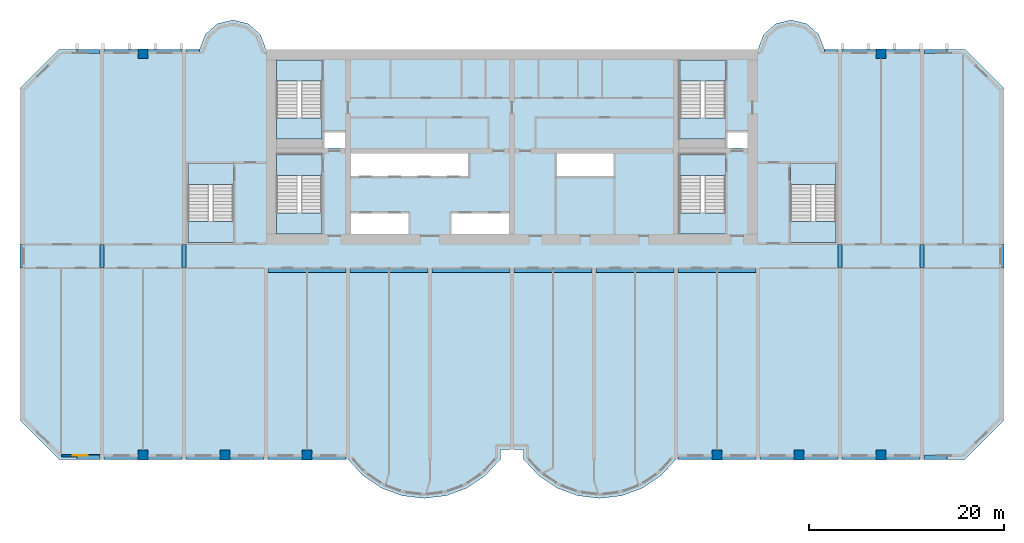
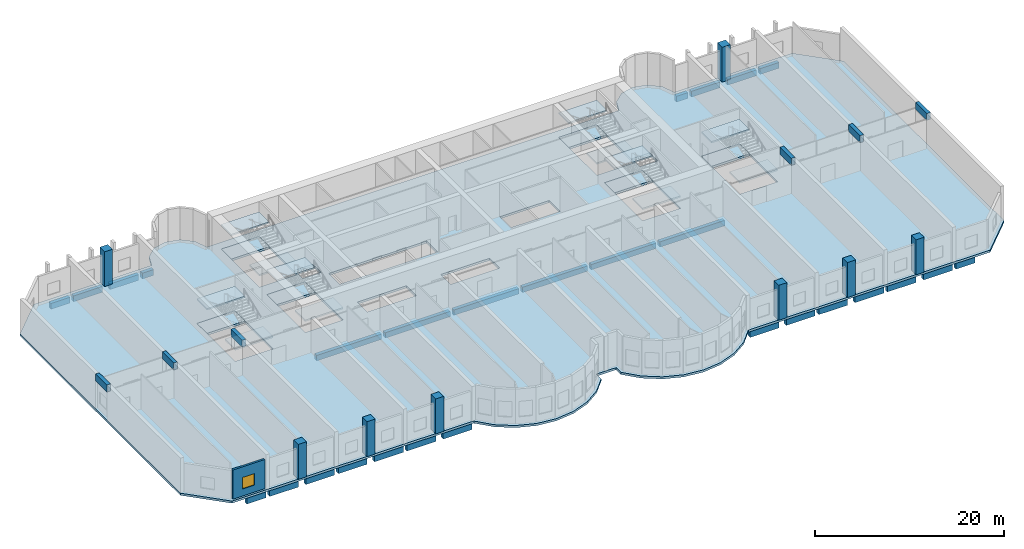
# One storey, part 1 of 10: 34 beams, 19 slabs, 8 columns, 1 wall, 1 window, 1 opening, 6 elements without a shape of their own.
"""IFC4 building model written with IfcOpenShell, lengths in metres."""

from ifc_helpers import new_model, si_unit, direction, frame, frame_2d, origin, origin_2d, place, context, subcontext, project, spatial, polyline, rectangle, outline, extrude, source, transform, mapped, material, layer, layer_set, material_profile, profile_set, type_object, element, fill, aggregate, save


model = new_model("IFC4")

# Units and contexts
model_context = context("Model", 3, precision=1e-05, world=origin(), true_north=direction((0.0, 1.0)))
body_context = subcontext(model_context, "Body", "Model", "MODEL_VIEW")
ifc_project = project(units=[si_unit("LENGTHUNIT", "METRE"), si_unit("AREAUNIT", "SQUARE_METRE"), si_unit("VOLUMEUNIT", "CUBIC_METRE"), si_unit("PLANEANGLEUNIT", "RADIAN"), si_unit("MASSUNIT", "GRAM", prefix="KILO")], contexts=[model_context])

# Site, building, storey
site_placement = place(None, origin())
site = spatial("IfcSite", under=ifc_project, at=site_placement, CompositionType="ELEMENT")
building_placement = place(site_placement, origin())
building = spatial("IfcBuilding", under=site, at=building_placement, Name="Vanashikhar Sky Hotel", CompositionType="ELEMENT")
storey_placement = place(building_placement, frame((0.0, 0.0, 23.0)))
storey = spatial("IfcBuildingStorey", under=building, at=storey_placement, Name="L04", CompositionType="ELEMENT", Elevation=23.0)

# Columns
ifc_material_1 = material(Name="Concrete M70", Category="concrete")
ifc_material_profile_1 = material_profile(ifc_material_1, rectangle(XDim=1.0, YDim=1.0, at=origin_2d()))
ifc_profile_set_1 = profile_set([ifc_material_profile_1], Name="RC 1000x1000 column Concrete M70")
column_type = type_object("IfcColumnType", Name="RC 1000x1000 column Concrete M70", PredefinedType="COLUMN", material=ifc_profile_set_1)
shared_shape_1 = source(origin(), body_context, "Body", "SweptSolid", [
    extrude(rectangle(XDim=1.0, YDim=1.0, at=origin_2d()), origin(), (0.0, 0.0, 1.0), 4.52001953125),
])
for number, where, z_axis, x_axis, name in (
    (1, (12.60009765625, 0.449951171875, 0.0), (0.0, 0.0, 1.0), (1.0, 0.0, 0.0), "CL-L04-CF02"),
    (2, (21.0, 0.449951171875, 0.0), (0.0, 0.0, 1.0), (1.0, 0.0, 0.0), "CL-L04-CF03"),
    (3, (29.39990234375, 0.449951171875, 0.0), (0.0, 0.0, 1.0), (1.0, 0.0, 0.0), "CL-L04-CF04"),
    (4, (71.39990234375, 0.449951171875, 0.0), (0.0, 0.0, 1.0), (1.0, 0.0, 0.0), "CL-L04-CF09"),
    (5, (79.800048828125, 0.449951171875, 0.0), (0.0, 0.0, 1.0), (1.0, 0.0, 0.0), "CL-L04-CF10"),
    (6, (88.199951171875, 0.449951171875, 0.0), (0.0, 0.0, 1.0), (1.0, 0.0, 0.0), "CL-L04-CF11"),
    (7, (12.60009765625, 41.550048828125, 0.0), (0.0, 0.0, 1.0), (1.0, 0.0, 0.0), "CL-L04-CR02"),
    (8, (88.199951171875, 41.550048828125, 0.0), (0.0, 0.0, 1.0), (1.0, 0.0, 0.0), "CL-L04-CR11"),
):
    element("IfcColumn", number, at=place(storey_placement, frame(where, z_axis=z_axis, x_axis=x_axis)), inside=storey, type_object=column_type, Name=name, PredefinedType="COLUMN", context=body_context, shape_type="MappedRepresentation", body=[
        mapped(shared_shape_1, transform((0.0, 0.0, 0.0), scale=1.0)),
    ])

# Beams
ifc_material_2 = material(Name="Concrete M50", Category="concrete")
ifc_material_profile_2 = material_profile(ifc_material_2, rectangle(XDim=0.449951171875, YDim=0.89990234375, at=origin_2d()))
ifc_profile_set_2 = profile_set([ifc_material_profile_2], Name="RC 450x900 beam Concrete M50")
beam_type_1 = type_object("IfcBeamType", Name="RC 450x900 beam Concrete M50", PredefinedType="LINTEL", material=ifc_profile_set_2)
shared_shape_2 = source(origin(), body_context, "Body", "SweptSolid", [
    extrude(rectangle(XDim=0.449951171875, YDim=0.89990234375, at=origin_2d()), origin(), (0.0, 0.0, 1.0), 2.39990234375),
])
for number, where, z_axis, x_axis, name in (
    (9, (0.22509765625, 19.60009765625, 4.070068359375), (0.0, 1.0, 0.0), (-1.0, 0.0, 0.0), "LB-L04-XW01"),
    (10, (8.39990234375, 19.60009765625, 4.070068359375), (0.0, 1.0, 0.0), (-1.0, 0.0, 0.0), "LB-L04-XW02"),
    (11, (16.800048828125, 19.60009765625, 4.070068359375), (0.0, 1.0, 0.0), (-1.0, 0.0, 0.0), "LB-L04-XW03"),
    (12, (84.0, 19.60009765625, 4.070068359375), (0.0, 1.0, 0.0), (-1.0, 0.0, 0.0), "LB-L04-XW11"),
    (13, (92.39990234375, 19.60009765625, 4.070068359375), (0.0, 1.0, 0.0), (-1.0, 0.0, 0.0), "LB-L04-XW12"),
    (14, (100.574951171875, 19.60009765625, 4.070068359375), (0.0, 1.0, 0.0), (-1.0, 0.0, 0.0), "LB-L04-XW13"),
):
    element("IfcBeam", number, at=place(storey_placement, frame(where, z_axis=z_axis, x_axis=x_axis)), inside=storey, type_object=beam_type_1, Name=name, PredefinedType="LINTEL", context=body_context, shape_type="MappedRepresentation", body=[
        mapped(shared_shape_2, transform((0.0, 0.0, 0.0), scale=1.0)),
    ])
ifc_material_profile_3 = material_profile(ifc_material_2, rectangle(XDim=0.449951171875, YDim=0.75, at=origin_2d()))
ifc_profile_set_3 = profile_set([ifc_material_profile_3], Name="RC 450x750 beam Concrete M50")
beam_type_2 = type_object("IfcBeamType", Name="RC 450x750 beam Concrete M50", PredefinedType="SPANDREL", material=ifc_profile_set_3)
shared_shape_3 = source(origin(), body_context, "Body", "SweptSolid", [
    extrude(rectangle(XDim=0.449951171875, YDim=0.75, at=origin_2d()), origin(), (0.0, 0.0, 1.0), 3.52490234375),
])
for number, where, z_axis, x_axis, name in (
    (15, (8.625, 0.22509765625, -0.655029296875), (1.0, 0.0, 0.0), (0.0, 1.0, 0.0), "EB-L04-F01"),
    (16, (13.050048828125, 0.22509765625, -0.655029296875), (1.0, 0.0, 0.0), (0.0, 1.0, 0.0), "EB-L04-F02"),
    (17, (25.425048828125, 0.22509765625, -0.655029296875), (1.0, 0.0, 0.0), (0.0, 1.0, 0.0), "EB-L04-F05"),
    (18, (29.85009765625, 0.22509765625, -0.655029296875), (1.0, 0.0, 0.0), (0.0, 1.0, 0.0), "EB-L04-F06"),
    (19, (67.425048828125, 0.22509765625, -0.655029296875), (1.0, 0.0, 0.0), (0.0, 1.0, 0.0), "EB-L04-F08"),
    (20, (71.85009765625, 0.22509765625, -0.655029296875), (1.0, 0.0, 0.0), (0.0, 1.0, 0.0), "EB-L04-F09"),
    (21, (80.25, 0.22509765625, -0.655029296875), (1.0, 0.0, 0.0), (0.0, 1.0, 0.0), "EB-L04-F11"),
    (22, (84.22509765625, 0.22509765625, -0.655029296875), (1.0, 0.0, 0.0), (0.0, 1.0, 0.0), "EB-L04-F12"),
    (23, (8.625, 41.77490234375, -0.655029296875), (1.0, 0.0, 0.0), (0.0, 1.0, 0.0), "EB-L04-R01"),
    (24, (13.050048828125, 41.77490234375, -0.655029296875), (1.0, 0.0, 0.0), (0.0, 1.0, 0.0), "EB-L04-R02"),
    (25, (84.22509765625, 41.77490234375, -0.655029296875), (1.0, 0.0, 0.0), (0.0, 1.0, 0.0), "EB-L04-R05"),
):
    element("IfcBeam", number, at=place(storey_placement, frame(where, z_axis=z_axis, x_axis=x_axis)), inside=storey, type_object=beam_type_2, Name=name, PredefinedType="SPANDREL", context=body_context, shape_type="MappedRepresentation", body=[
        mapped(shared_shape_3, transform((0.0, 0.0, 0.0), scale=1.0)),
    ])
shared_shape_4 = source(origin(), body_context, "Body", "SweptSolid", [
    extrude(rectangle(XDim=0.449951171875, YDim=0.75, at=origin_2d()), origin(), (0.0, 0.0, 1.0), 3.525146484375),
])
for number, where, z_axis, x_axis, name in (
    (26, (17.02490234375, 0.22509765625, -0.655029296875), (1.0, 0.0, 0.0), (0.0, 1.0, 0.0), "EB-L04-F03"),
    (27, (21.449951171875, 0.22509765625, -0.655029296875), (1.0, 0.0, 0.0), (0.0, 1.0, 0.0), "EB-L04-F04"),
    (28, (75.824951171875, 0.22509765625, -0.655029296875), (1.0, 0.0, 0.0), (0.0, 1.0, 0.0), "EB-L04-F10"),
    (29, (88.64990234375, 0.22509765625, -0.655029296875), (1.0, 0.0, 0.0), (0.0, 1.0, 0.0), "EB-L04-F13"),
    (30, (88.64990234375, 41.77490234375, -0.655029296875), (1.0, 0.0, 0.0), (0.0, 1.0, 0.0), "EB-L04-R06"),
):
    element("IfcBeam", number, at=place(storey_placement, frame(where, z_axis=z_axis, x_axis=x_axis)), inside=storey, type_object=beam_type_2, Name=name, PredefinedType="SPANDREL", context=body_context, shape_type="MappedRepresentation", body=[
        mapped(shared_shape_4, transform((0.0, 0.0, 0.0), scale=1.0)),
    ])
ifc_material_profile_4 = material_profile(ifc_material_2, rectangle(XDim=0.449951171875, YDim=0.75, at=origin_2d()))
ifc_profile_set_4 = profile_set([ifc_material_profile_4], Name="RC 450x750 cantilever beam Concrete M50")
beam_type_3 = type_object("IfcBeamType", Name="RC 450x750 cantilever beam Concrete M50", PredefinedType="SPANDREL", material=ifc_profile_set_4)
shared_shape_5 = source(origin(), body_context, "Body", "SweptSolid", [
    extrude(rectangle(XDim=0.449951171875, YDim=0.75, at=origin_2d()), origin(), (0.0, 0.0, 1.0), 2.330078125),
])
for number, where, z_axis, x_axis, name in (
    (31, (5.844970703125, 0.22509765625, -0.655029296875), (1.0, 0.0, 0.0), (0.0, 1.0, 0.0), "EB-L04-F07"),
    (32, (92.625, 0.22509765625, -0.655029296875), (1.0, 0.0, 0.0), (0.0, 1.0, 0.0), "EB-L04-F14"),
    (33, (5.844970703125, 41.77490234375, -0.655029296875), (1.0, 0.0, 0.0), (0.0, 1.0, 0.0), "EB-L04-R03"),
    (34, (92.625, 41.77490234375, -0.655029296875), (1.0, 0.0, 0.0), (0.0, 1.0, 0.0), "EB-L04-R08"),
):
    element("IfcBeam", number, at=place(storey_placement, frame(where, z_axis=z_axis, x_axis=x_axis)), inside=storey, type_object=beam_type_3, Name=name, PredefinedType="SPANDREL", context=body_context, shape_type="MappedRepresentation", body=[
        mapped(shared_shape_5, transform((0.0, 0.0, 0.0), scale=1.0)),
    ])
shared_shape_6 = source(origin(), body_context, "Body", "SweptSolid", [
    extrude(rectangle(XDim=0.449951171875, YDim=0.75, at=origin_2d()), origin(), (0.0, 0.0, 1.0), 1.375),
])
for number, where, z_axis, x_axis, name in (
    (35, (17.02490234375, 41.77490234375, -0.655029296875), (1.0, 0.0, 0.0), (0.0, 1.0, 0.0), "EB-L04-R04"),
    (36, (82.39990234375, 41.77490234375, -0.655029296875), (1.0, 0.0, 0.0), (0.0, 1.0, 0.0), "EB-L04-R07"),
):
    element("IfcBeam", number, at=place(storey_placement, frame(where, z_axis=z_axis, x_axis=x_axis)), inside=storey, type_object=beam_type_3, Name=name, PredefinedType="SPANDREL", context=body_context, shape_type="MappedRepresentation", body=[
        mapped(shared_shape_6, transform((0.0, 0.0, 0.0), scale=1.0)),
    ])
ifc_material_profile_5 = material_profile(ifc_material_2, rectangle(XDim=0.449951171875, YDim=0.699951171875, at=origin_2d()))
ifc_profile_set_5 = profile_set([ifc_material_profile_5], Name="RC 450x700 beam Concrete M50")
beam_type_4 = type_object("IfcBeamType", Name="RC 450x700 beam Concrete M50", PredefinedType="BEAM", material=ifc_profile_set_5)
shared_shape_7 = source(origin(), body_context, "Body", "SweptSolid", [
    extrude(rectangle(XDim=0.449951171875, YDim=0.699951171875, at=origin_2d()), origin(), (0.0, 0.0, 1.0), 7.949951171875),
])
for number, where, z_axis, x_axis, name in (
    (37, (25.425048828125, 19.375, -0.6298828125), (1.0, 0.0, 0.0), (0.0, 1.0, 0.0), "CB-L04-01"),
    (38, (33.824951171875, 19.375, -0.6298828125), (1.0, 0.0, 0.0), (0.0, 1.0, 0.0), "CB-L04-02"),
    (39, (42.22509765625, 19.375, -0.6298828125), (1.0, 0.0, 0.0), (0.0, 1.0, 0.0), "CB-L04-03"),
    (40, (50.625, 19.375, -0.6298828125), (1.0, 0.0, 0.0), (0.0, 1.0, 0.0), "CB-L04-04"),
    (41, (67.425048828125, 19.375, -0.6298828125), (1.0, 0.0, 0.0), (0.0, 1.0, 0.0), "CB-L04-06"),
):
    element("IfcBeam", number, at=place(storey_placement, frame(where, z_axis=z_axis, x_axis=x_axis)), inside=storey, type_object=beam_type_4, Name=name, PredefinedType="BEAM", context=body_context, shape_type="MappedRepresentation", body=[
        mapped(shared_shape_7, transform((0.0, 0.0, 0.0), scale=1.0)),
    ])
shared_shape_8 = source(origin(), body_context, "Body", "SweptSolid", [
    extrude(rectangle(XDim=0.449951171875, YDim=0.699951171875, at=origin_2d()), origin(), (0.0, 0.0, 1.0), 7.9501953125),
])
beam_placement = place(storey_placement, frame((59.02490234375, 19.375, -0.6298828125), z_axis=(1.0, 0.0, 0.0), x_axis=(0.0, 1.0, 0.0)))
element("IfcBeam", 42, at=beam_placement, inside=storey, type_object=beam_type_4, Name="CB-L04-05", PredefinedType="BEAM", context=body_context, shape_type="MappedRepresentation", body=[
    mapped(shared_shape_8, transform((0.0, 0.0, 0.0), scale=1.0)),
])

# Slab
ifc_material_3 = material(Name="Concrete M40", Category="concrete")
ifc_layer_1 = layer(ifc_material_3, 0.280029296875)
ifc_layer_set_1 = layer_set([ifc_layer_1], Name="Floor slab 280 mm")
slab_type_1 = type_object("IfcSlabType", Name="Floor slab 280 mm", PredefinedType="FLOOR", material=ifc_layer_set_1)
shared_shape_9 = source(origin(), body_context, "Body", "SweptSolid", [
    extrude(outline(polyline([(49.199951171875, 0.0), (49.199951171875, 1.0), (51.60009765625, 1.0), (51.60009765625, 0.0), (53.133056640625, -1.674072265625), (55.01708984375, -2.94189453125), (57.14599609375, -3.73193359375), (59.39990234375, -4.0), (61.654052734375, -3.73193359375), (63.782958984375, -2.94189453125), (65.6669921875, -1.674072265625), (67.199951171875, 0.0), (96.800048828125, 0.0), (100.800048828125, 4.0), (100.800048828125, 38.0), (96.800048828125, 42.0), (82.39990234375, 42.0), (81.81494140625, 43.527099609375), (80.587890625, 44.610107421875), (79.0, 45.0), (77.412109375, 44.610107421875), (76.18505859375, 43.527099609375), (75.60009765625, 42.0), (25.199951171875, 42.0), (24.614990234375, 43.527099609375), (23.387939453125, 44.610107421875), (21.800048828125, 45.0), (20.2119140625, 44.610107421875), (18.985107421875, 43.527099609375), (18.39990234375, 42.0), (4.0, 42.0), (0.0, 38.0), (0.0, 4.0), (4.0, 0.0), (33.60009765625, 0.0), (35.133056640625, -1.674072265625), (37.01708984375, -2.94189453125), (39.14599609375, -3.73193359375), (41.39990234375, -4.0), (43.654052734375, -3.73193359375), (45.782958984375, -2.94189453125), (47.6669921875, -1.674072265625), (49.199951171875, 0.0)]), holes=[polyline([(33.300048828125, 33.60009765625), (31.050048828125, 33.60009765625), (31.050048828125, 31.89990234375), (33.300048828125, 31.89990234375), (33.300048828125, 33.60009765625)]), polyline([(33.89990234375, 25.199951171875), (33.89990234375, 23.10009765625), (39.89990234375, 23.10009765625), (39.89990234375, 25.199951171875), (33.89990234375, 25.199951171875)]), polyline([(33.89990234375, 31.300048828125), (33.89990234375, 29.0), (45.89990234375, 29.0), (45.89990234375, 31.300048828125), (33.89990234375, 31.300048828125)]), polyline([(44.10009765625, 25.199951171875), (44.10009765625, 23.10009765625), (50.10009765625, 23.10009765625), (50.10009765625, 25.199951171875), (44.10009765625, 25.199951171875)]), polyline([(54.89990234375, 31.300048828125), (54.89990234375, 29.0), (60.89990234375, 29.0), (60.89990234375, 31.300048828125), (54.89990234375, 31.300048828125)]), polyline([(74.5, 33.60009765625), (72.35009765625, 33.60009765625), (72.35009765625, 31.89990234375), (74.5, 31.89990234375), (74.5, 33.60009765625)]), polyline([(30.949951171875, 23.10009765625), (30.949951171875, 31.199951171875), (26.300048828125, 31.199951171875), (26.300048828125, 23.10009765625), (30.949951171875, 23.10009765625)]), polyline([(72.25, 23.10009765625), (72.25, 31.199951171875), (67.60009765625, 31.199951171875), (67.60009765625, 23.10009765625), (72.25, 23.10009765625)]), polyline([(30.949951171875, 32.800048828125), (30.949951171875, 40.89990234375), (26.300048828125, 40.89990234375), (26.300048828125, 32.800048828125), (30.949951171875, 32.800048828125)]), polyline([(72.25, 32.800048828125), (72.25, 40.89990234375), (67.60009765625, 40.89990234375), (67.60009765625, 32.800048828125), (72.25, 32.800048828125)]), polyline([(83.60009765625, 22.199951171875), (83.60009765625, 30.300048828125), (78.949951171875, 30.300048828125), (78.949951171875, 22.199951171875), (83.60009765625, 22.199951171875)]), polyline([(21.85009765625, 22.199951171875), (21.85009765625, 30.300048828125), (17.199951171875, 30.300048828125), (17.199951171875, 22.199951171875), (21.85009765625, 22.199951171875)])]), origin(), (0.0, 0.0, 1.0), 0.280029296875),
])
slab_1_placement = place(storey_placement, frame((0.0, 0.0, -0.280029296875)))
element("IfcSlab", 43, at=slab_1_placement, inside=storey, type_object=slab_type_1, Name="Floor slab L04", PredefinedType="FLOOR", context=body_context, shape_type="MappedRepresentation", body=[
    mapped(shared_shape_9, transform((0.0, 0.0, 0.0), scale=1.0)),
])

# Stair, slabs
stair_type = type_object("IfcStairType", Name="Exit stair 2150", PredefinedType="DOUBLE_RETURN_STAIR", material=ifc_material_3)
stair_1_placement = place(storey_placement, origin())
stair_1 = element("IfcStair", 44, at=stair_1_placement, inside=storey, type_object=stair_type, Name="L04 Exit stair 1", PredefinedType="DOUBLE_RETURN_STAIR")
ifc_layer_2 = layer(ifc_material_3, 0.199951171875)
ifc_layer_set_2 = layer_set([ifc_layer_2], Name="Stair landing 200")
slab_type_2 = type_object("IfcSlabType", Name="Stair landing 200", PredefinedType="LANDING", material=ifc_layer_set_2)
shared_shape_10 = source(origin(), body_context, "Body", "SweptSolid", [
    extrude(outline(polyline([(30.949951171875, 29.050048828125), (30.949951171875, 31.199951171875), (26.300048828125, 31.199951171875), (26.300048828125, 29.050048828125), (30.949951171875, 29.050048828125)])), origin(), (0.0, 0.0, 1.0), 0.199951171875),
])
slab_2_placement = place(storey_placement, frame((0.0, 0.0, 3.0)))
slab_2 = element("IfcSlab", 45, at=slab_2_placement, type_object=slab_type_2, Name="ST-C1 landing 2", PredefinedType="LANDING", context=body_context, shape_type="MappedRepresentation", body=[
    mapped(shared_shape_10, transform((0.0, 0.0, 0.0), scale=1.0)),
])
shared_shape_11 = source(origin(), body_context, "Body", "SweptSolid", [
    extrude(outline(polyline([(30.949951171875, 23.10009765625), (30.949951171875, 25.25), (26.300048828125, 25.25), (26.300048828125, 23.10009765625), (30.949951171875, 23.10009765625)])), origin(), (0.0, 0.0, 1.0), 0.2001953125),
])
slab_3_placement = place(storey_placement, frame((0.0, 0.0, 1.39990234375)))
slab_3 = element("IfcSlab", 46, at=slab_3_placement, type_object=slab_type_2, Name="ST-C1 landing 1", PredefinedType="LANDING", context=body_context, shape_type="MappedRepresentation", body=[
    mapped(shared_shape_11, transform((0.0, 0.0, 0.0), scale=1.0)),
])
aggregate(stair_1, [slab_3, slab_2])

# Slab
ifc_layer_3 = layer(ifc_material_3, 0.280029296875)
ifc_layer_set_3 = layer_set([ifc_layer_3], Name="Stair floor landing 280")
slab_type_3 = type_object("IfcSlabType", Name="Stair floor landing 280", PredefinedType="LANDING", material=ifc_layer_set_3)
shared_shape_12 = source(origin(), body_context, "Body", "SweptSolid", [
    extrude(outline(polyline([(30.949951171875, 29.050048828125), (30.949951171875, 31.199951171875), (26.300048828125, 31.199951171875), (26.300048828125, 29.050048828125), (30.949951171875, 29.050048828125)])), origin(), (0.0, 0.0, 1.0), 0.280029296875),
])
slab_4_placement = place(storey_placement, frame((0.0, 0.0, -0.280029296875)))
element("IfcSlab", 47, at=slab_4_placement, inside=storey, type_object=slab_type_3, Name="Exit stair 1 floor landing", PredefinedType="LANDING", context=body_context, shape_type="MappedRepresentation", body=[
    mapped(shared_shape_12, transform((0.0, 0.0, 0.0), scale=1.0)),
])

# Stair, slabs
stair_2_placement = place(storey_placement, origin())
stair_2 = element("IfcStair", 48, at=stair_2_placement, inside=storey, type_object=stair_type, Name="L04 Exit stair 2", PredefinedType="DOUBLE_RETURN_STAIR")
shared_shape_13 = source(origin(), body_context, "Body", "SweptSolid", [
    extrude(outline(polyline([(72.25, 29.050048828125), (72.25, 31.199951171875), (67.60009765625, 31.199951171875), (67.60009765625, 29.050048828125), (72.25, 29.050048828125)])), origin(), (0.0, 0.0, 1.0), 0.199951171875),
])
slab_5_placement = place(storey_placement, frame((0.0, 0.0, 3.0)))
slab_5 = element("IfcSlab", 49, at=slab_5_placement, type_object=slab_type_2, Name="ST-C2 landing 2", PredefinedType="LANDING", context=body_context, shape_type="MappedRepresentation", body=[
    mapped(shared_shape_13, transform((0.0, 0.0, 0.0), scale=1.0)),
])
shared_shape_14 = source(origin(), body_context, "Body", "SweptSolid", [
    extrude(outline(polyline([(72.25, 23.10009765625), (72.25, 25.25), (67.60009765625, 25.25), (67.60009765625, 23.10009765625), (72.25, 23.10009765625)])), origin(), (0.0, 0.0, 1.0), 0.2001953125),
])
slab_6_placement = place(storey_placement, frame((0.0, 0.0, 1.39990234375)))
slab_6 = element("IfcSlab", 50, at=slab_6_placement, type_object=slab_type_2, Name="ST-C2 landing 1", PredefinedType="LANDING", context=body_context, shape_type="MappedRepresentation", body=[
    mapped(shared_shape_14, transform((0.0, 0.0, 0.0), scale=1.0)),
])
aggregate(stair_2, [slab_6, slab_5])

# Slab
shared_shape_15 = source(origin(), body_context, "Body", "SweptSolid", [
    extrude(outline(polyline([(72.25, 29.050048828125), (72.25, 31.199951171875), (67.60009765625, 31.199951171875), (67.60009765625, 29.050048828125), (72.25, 29.050048828125)])), origin(), (0.0, 0.0, 1.0), 0.280029296875),
])
slab_7_placement = place(storey_placement, frame((0.0, 0.0, -0.280029296875)))
element("IfcSlab", 51, at=slab_7_placement, inside=storey, type_object=slab_type_3, Name="Exit stair 2 floor landing", PredefinedType="LANDING", context=body_context, shape_type="MappedRepresentation", body=[
    mapped(shared_shape_15, transform((0.0, 0.0, 0.0), scale=1.0)),
])

# Stair, slabs
stair_3_placement = place(storey_placement, origin())
stair_3 = element("IfcStair", 52, at=stair_3_placement, inside=storey, type_object=stair_type, Name="L04 Exit stair 3", PredefinedType="DOUBLE_RETURN_STAIR")
shared_shape_16 = source(origin(), body_context, "Body", "SweptSolid", [
    extrude(outline(polyline([(21.85009765625, 28.14990234375), (21.85009765625, 30.300048828125), (17.199951171875, 30.300048828125), (17.199951171875, 28.14990234375), (21.85009765625, 28.14990234375)])), origin(), (0.0, 0.0, 1.0), 0.199951171875),
])
slab_8_placement = place(storey_placement, frame((0.0, 0.0, 3.0)))
slab_8 = element("IfcSlab", 53, at=slab_8_placement, type_object=slab_type_2, Name="ST-W landing 2", PredefinedType="LANDING", context=body_context, shape_type="MappedRepresentation", body=[
    mapped(shared_shape_16, transform((0.0, 0.0, 0.0), scale=1.0)),
])
shared_shape_17 = source(origin(), body_context, "Body", "SweptSolid", [
    extrude(outline(polyline([(21.85009765625, 22.199951171875), (21.85009765625, 24.35009765625), (17.199951171875, 24.35009765625), (17.199951171875, 22.199951171875), (21.85009765625, 22.199951171875)])), origin(), (0.0, 0.0, 1.0), 0.2001953125),
])
slab_9_placement = place(storey_placement, frame((0.0, 0.0, 1.39990234375)))
slab_9 = element("IfcSlab", 54, at=slab_9_placement, type_object=slab_type_2, Name="ST-W landing 1", PredefinedType="LANDING", context=body_context, shape_type="MappedRepresentation", body=[
    mapped(shared_shape_17, transform((0.0, 0.0, 0.0), scale=1.0)),
])
aggregate(stair_3, [slab_9, slab_8])

# Slab
shared_shape_18 = source(origin(), body_context, "Body", "SweptSolid", [
    extrude(outline(polyline([(21.85009765625, 28.14990234375), (21.85009765625, 30.300048828125), (17.199951171875, 30.300048828125), (17.199951171875, 28.14990234375), (21.85009765625, 28.14990234375)])), origin(), (0.0, 0.0, 1.0), 0.280029296875),
])
slab_10_placement = place(storey_placement, frame((0.0, 0.0, -0.280029296875)))
element("IfcSlab", 55, at=slab_10_placement, inside=storey, type_object=slab_type_3, Name="Exit stair 3 floor landing", PredefinedType="LANDING", context=body_context, shape_type="MappedRepresentation", body=[
    mapped(shared_shape_18, transform((0.0, 0.0, 0.0), scale=1.0)),
])

# Stair, slabs
stair_4_placement = place(storey_placement, origin())
stair_4 = element("IfcStair", 56, at=stair_4_placement, inside=storey, type_object=stair_type, Name="L04 Exit stair 4", PredefinedType="DOUBLE_RETURN_STAIR")
shared_shape_19 = source(origin(), body_context, "Body", "SweptSolid", [
    extrude(outline(polyline([(83.60009765625, 28.14990234375), (83.60009765625, 30.300048828125), (78.949951171875, 30.300048828125), (78.949951171875, 28.14990234375), (83.60009765625, 28.14990234375)])), origin(), (0.0, 0.0, 1.0), 0.199951171875),
])
slab_11_placement = place(storey_placement, frame((0.0, 0.0, 3.0)))
slab_11 = element("IfcSlab", 57, at=slab_11_placement, type_object=slab_type_2, Name="ST-E landing 2", PredefinedType="LANDING", context=body_context, shape_type="MappedRepresentation", body=[
    mapped(shared_shape_19, transform((0.0, 0.0, 0.0), scale=1.0)),
])
shared_shape_20 = source(origin(), body_context, "Body", "SweptSolid", [
    extrude(outline(polyline([(83.60009765625, 22.199951171875), (83.60009765625, 24.35009765625), (78.949951171875, 24.35009765625), (78.949951171875, 22.199951171875), (83.60009765625, 22.199951171875)])), origin(), (0.0, 0.0, 1.0), 0.2001953125),
])
slab_12_placement = place(storey_placement, frame((0.0, 0.0, 1.39990234375)))
slab_12 = element("IfcSlab", 58, at=slab_12_placement, type_object=slab_type_2, Name="ST-E landing 1", PredefinedType="LANDING", context=body_context, shape_type="MappedRepresentation", body=[
    mapped(shared_shape_20, transform((0.0, 0.0, 0.0), scale=1.0)),
])
aggregate(stair_4, [slab_12, slab_11])

# Slab
shared_shape_21 = source(origin(), body_context, "Body", "SweptSolid", [
    extrude(outline(polyline([(83.60009765625, 28.14990234375), (83.60009765625, 30.300048828125), (78.949951171875, 30.300048828125), (78.949951171875, 28.14990234375), (83.60009765625, 28.14990234375)])), origin(), (0.0, 0.0, 1.0), 0.280029296875),
])
slab_13_placement = place(storey_placement, frame((0.0, 0.0, -0.280029296875)))
element("IfcSlab", 59, at=slab_13_placement, inside=storey, type_object=slab_type_3, Name="Exit stair 4 floor landing", PredefinedType="LANDING", context=body_context, shape_type="MappedRepresentation", body=[
    mapped(shared_shape_21, transform((0.0, 0.0, 0.0), scale=1.0)),
])

# Stair, slabs
stair_5_placement = place(storey_placement, origin())
stair_5 = element("IfcStair", 60, at=stair_5_placement, inside=storey, type_object=stair_type, Name="L04 Exit stair 5", PredefinedType="DOUBLE_RETURN_STAIR")
shared_shape_22 = source(origin(), body_context, "Body", "SweptSolid", [
    extrude(outline(polyline([(30.949951171875, 38.75), (30.949951171875, 40.89990234375), (26.300048828125, 40.89990234375), (26.300048828125, 38.75), (30.949951171875, 38.75)])), origin(), (0.0, 0.0, 1.0), 0.199951171875),
])
slab_14_placement = place(storey_placement, frame((0.0, 0.0, 3.0)))
slab_14 = element("IfcSlab", 61, at=slab_14_placement, type_object=slab_type_2, Name="ST-C3 landing 2", PredefinedType="LANDING", context=body_context, shape_type="MappedRepresentation", body=[
    mapped(shared_shape_22, transform((0.0, 0.0, 0.0), scale=1.0)),
])
shared_shape_23 = source(origin(), body_context, "Body", "SweptSolid", [
    extrude(outline(polyline([(30.949951171875, 32.800048828125), (30.949951171875, 34.949951171875), (26.300048828125, 34.949951171875), (26.300048828125, 32.800048828125), (30.949951171875, 32.800048828125)])), origin(), (0.0, 0.0, 1.0), 0.2001953125),
])
slab_15_placement = place(storey_placement, frame((0.0, 0.0, 1.39990234375)))
slab_15 = element("IfcSlab", 62, at=slab_15_placement, type_object=slab_type_2, Name="ST-C3 landing 1", PredefinedType="LANDING", context=body_context, shape_type="MappedRepresentation", body=[
    mapped(shared_shape_23, transform((0.0, 0.0, 0.0), scale=1.0)),
])
aggregate(stair_5, [slab_15, slab_14])

# Slab
shared_shape_24 = source(origin(), body_context, "Body", "SweptSolid", [
    extrude(outline(polyline([(30.949951171875, 38.75), (30.949951171875, 40.89990234375), (26.300048828125, 40.89990234375), (26.300048828125, 38.75), (30.949951171875, 38.75)])), origin(), (0.0, 0.0, 1.0), 0.280029296875),
])
slab_16_placement = place(storey_placement, frame((0.0, 0.0, -0.280029296875)))
element("IfcSlab", 63, at=slab_16_placement, inside=storey, type_object=slab_type_3, Name="Exit stair 5 floor landing", PredefinedType="LANDING", context=body_context, shape_type="MappedRepresentation", body=[
    mapped(shared_shape_24, transform((0.0, 0.0, 0.0), scale=1.0)),
])

# Stair, slabs
stair_6_placement = place(storey_placement, origin())
stair_6 = element("IfcStair", 64, at=stair_6_placement, inside=storey, type_object=stair_type, Name="L04 Exit stair 6", PredefinedType="DOUBLE_RETURN_STAIR")
shared_shape_25 = source(origin(), body_context, "Body", "SweptSolid", [
    extrude(outline(polyline([(72.25, 38.75), (72.25, 40.89990234375), (67.60009765625, 40.89990234375), (67.60009765625, 38.75), (72.25, 38.75)])), origin(), (0.0, 0.0, 1.0), 0.199951171875),
])
slab_17_placement = place(storey_placement, frame((0.0, 0.0, 3.0)))
slab_17 = element("IfcSlab", 65, at=slab_17_placement, type_object=slab_type_2, Name="ST-C4 landing 2", PredefinedType="LANDING", context=body_context, shape_type="MappedRepresentation", body=[
    mapped(shared_shape_25, transform((0.0, 0.0, 0.0), scale=1.0)),
])
shared_shape_26 = source(origin(), body_context, "Body", "SweptSolid", [
    extrude(outline(polyline([(72.25, 32.800048828125), (72.25, 34.949951171875), (67.60009765625, 34.949951171875), (67.60009765625, 32.800048828125), (72.25, 32.800048828125)])), origin(), (0.0, 0.0, 1.0), 0.2001953125),
])
slab_18_placement = place(storey_placement, frame((0.0, 0.0, 1.39990234375)))
slab_18 = element("IfcSlab", 66, at=slab_18_placement, type_object=slab_type_2, Name="ST-C4 landing 1", PredefinedType="LANDING", context=body_context, shape_type="MappedRepresentation", body=[
    mapped(shared_shape_26, transform((0.0, 0.0, 0.0), scale=1.0)),
])
aggregate(stair_6, [slab_18, slab_17])

# Slab
shared_shape_27 = source(origin(), body_context, "Body", "SweptSolid", [
    extrude(outline(polyline([(72.25, 38.75), (72.25, 40.89990234375), (67.60009765625, 40.89990234375), (67.60009765625, 38.75), (72.25, 38.75)])), origin(), (0.0, 0.0, 1.0), 0.280029296875),
])
slab_19_placement = place(storey_placement, frame((0.0, 0.0, -0.280029296875)))
element("IfcSlab", 67, at=slab_19_placement, inside=storey, type_object=slab_type_3, Name="Exit stair 6 floor landing", PredefinedType="LANDING", context=body_context, shape_type="MappedRepresentation", body=[
    mapped(shared_shape_27, transform((0.0, 0.0, 0.0), scale=1.0)),
])

# Wall, opening, window
ifc_layer_4 = layer(ifc_material_2, 0.25)
ifc_layer_set_4 = layer_set([ifc_layer_4], Name="Rear and end board-marked wall 250")
wall_type = type_object("IfcWallType", Name="Rear and end board-marked wall 250", PredefinedType="SOLIDWALL", material=ifc_layer_set_4)
shared_shape_28 = source(origin(), body_context, "Body", "SweptSolid", [
    extrude(rectangle(XDim=3.899658203125, YDim=0.25, at=frame_2d((1.94970703125, 0.0))), origin(), (0.0, 0.0, 1.0), 3.77001953125),
])
wall_placement = place(storey_placement, frame((4.275390625, 0.375, 0.0), z_axis=(0.0, 0.0, 1.0), x_axis=(1.0, 0.0, 0.0)))
wall = element("IfcWall", 68, at=wall_placement, inside=storey, type_object=wall_type, Name="Podium external wall", PredefinedType="SOLIDWALL", context=body_context, shape_type="MappedRepresentation", body=[
    mapped(shared_shape_28, transform((0.0, 0.0, 0.0), scale=1.0)),
])
shared_shape_29 = source(origin(), body_context, "Body", "SweptSolid", [
    extrude(rectangle(XDim=1.5, YDim=1.5, at=frame_2d((0.75, 0.75))), frame((0.0, 0.135009765625, 0.0), z_axis=(0.0, -1.0, 0.0), x_axis=(1.0, 0.0, 0.0)), (0.0, 0.0, 1.0), 0.27001953125),
])
opening_placement = place(wall_placement, frame((1.139892578125, 0.0, 0.89990234375)))
opening = element("IfcOpeningElement", 69, at=opening_placement, cuts=wall, Name="Opening WN-1", PredefinedType="OPENING", context=body_context, shape_type="MappedRepresentation", body=[
    mapped(shared_shape_29, transform((0.0, 0.0, 0.0), scale=1.0)),
])
ifc_material_4 = material(Name="Glass", Category="glass")
window_type = type_object("IfcWindowType", Name="Window 1500 x 1500", PartitioningType="SINGLE_PANEL", PredefinedType="WINDOW", material=ifc_material_4)
shared_shape_30 = source(origin(), body_context, "Body", "SweptSolid", [
    extrude(rectangle(XDim=1.5, YDim=1.5, at=frame_2d((0.75, 0.75))), frame((0.0, 0.030029296875, 0.0), z_axis=(0.0, -1.0, 0.0), x_axis=(1.0, 0.0, 0.0)), (0.0, 0.0, 1.0), 0.06005859375),
])
window_placement = place(opening_placement, origin())
window = element("IfcWindow", 70, at=window_placement, inside=storey, type_object=window_type, Name="Window WN-1", OverallHeight=1.5, OverallWidth=1.5, PartitioningType="SINGLE_PANEL", PredefinedType="WINDOW", context=body_context, shape_type="MappedRepresentation", body=[
    mapped(shared_shape_30, transform((0.0, 0.0, 0.0), scale=1.0)),
])
fill(opening, window)

save(model, "model.ifc")
